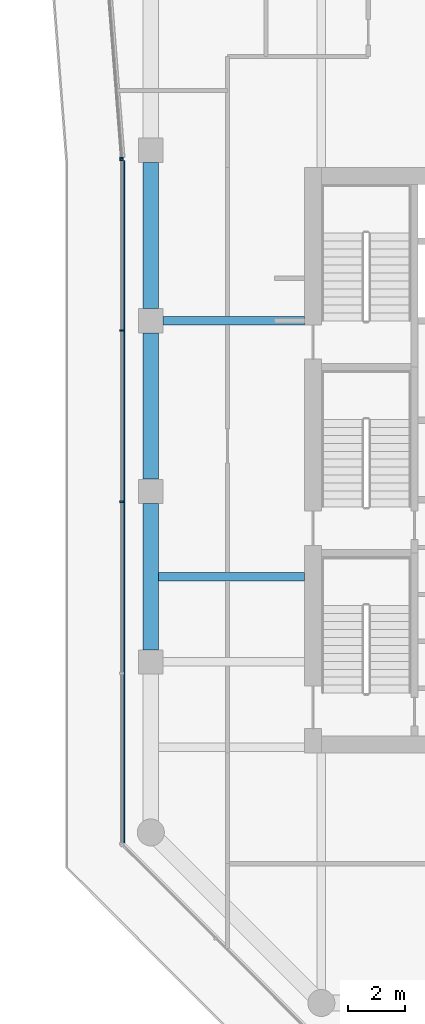
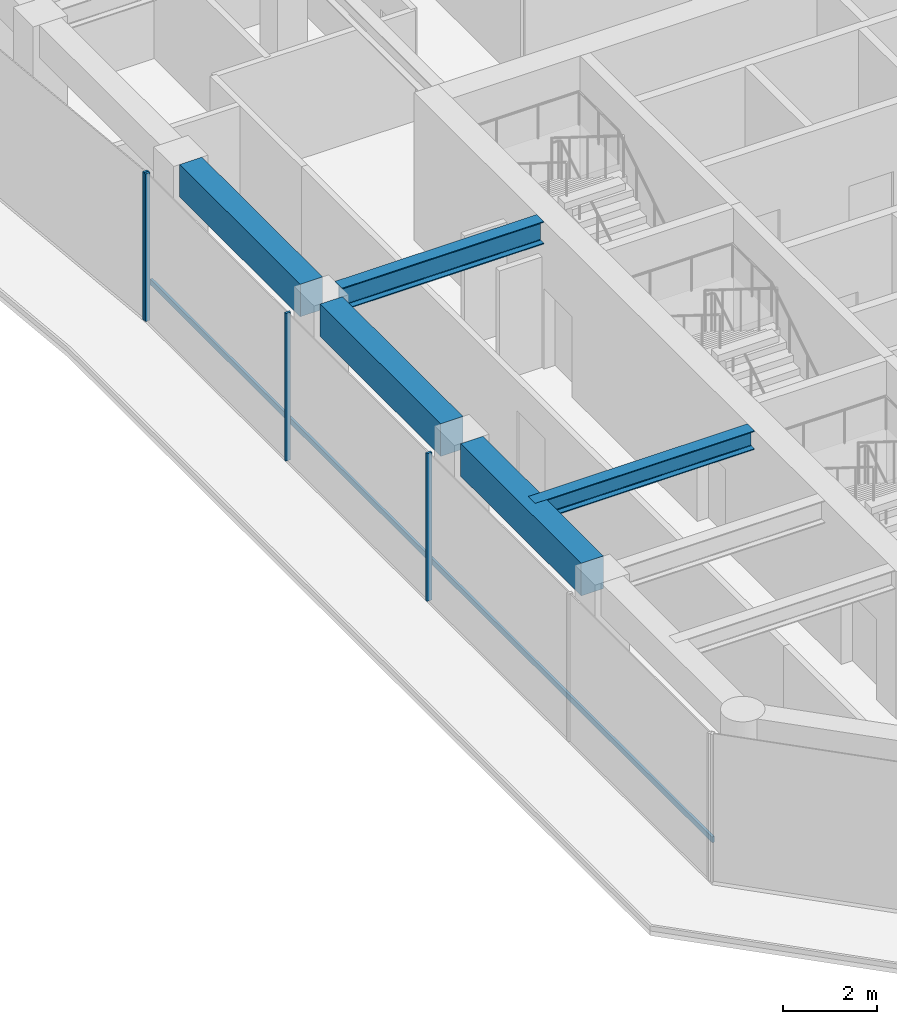
# One storey, part 5 of 23: 5 beams, 5 members, 2 elements without a shape of their own.
"""IFC4 building model written with IfcOpenShell, lengths in metres."""

from ifc_helpers import new_model, si_unit, direction, frame, origin, origin_2d, place, context, subcontext, project, spatial, rectangle, i_section, extrude, material, layer, layer_set, material_profile, profile_set, type_object, element, aggregate, save


model = new_model("IFC4")

# Units and contexts
model_context = context("Model", 3, precision=1e-05, world=origin(), true_north=direction((0.0, 1.0)))
body_context = subcontext(model_context, "Body", "Model", "MODEL_VIEW")
ifc_project = project(units=[si_unit("LENGTHUNIT", "METRE"), si_unit("AREAUNIT", "SQUARE_METRE"), si_unit("VOLUMEUNIT", "CUBIC_METRE"), si_unit("PLANEANGLEUNIT", "RADIAN"), si_unit("MASSUNIT", "GRAM", prefix="KILO")], contexts=[model_context])

# Site, building, storey
site_placement = place(None, origin())
site = spatial("IfcSite", under=ifc_project, at=site_placement, CompositionType="ELEMENT")
building_placement = place(site_placement, origin())
building = spatial("IfcBuilding", under=site, at=building_placement, Name="Welwitschia Terrace Campus", CompositionType="ELEMENT")
storey_placement = place(building_placement, frame((0.0, 0.0, 188.60009765625)))
storey = spatial("IfcBuildingStorey", under=building, at=storey_placement, Name="L42", CompositionType="ELEMENT", Elevation=188.60009765625)

# Beam
ifc_material_1 = material(Name="Steel S355", Category="steel")
ifc_material_profile_1 = material_profile(ifc_material_1, i_section(OverallWidth=0.300048828125, OverallDepth=0.489990234375, WebThickness=0.011962890625, FlangeThickness=0.02294921875, FilletRadius=0.027099609375, at=origin_2d()))
ifc_profile_set_1 = profile_set([ifc_material_profile_1], Name="Steel S355")
beam_type_1 = type_object("IfcBeamType", Name="Interior girder HE 500 A", PredefinedType="BEAM", material=ifc_profile_set_1)
beam_1_placement = place(storey_placement, frame((-0.010009765625, 11.0, 3.60498046875), z_axis=(1.0, 0.0, 0.0), x_axis=(0.0, 1.0, 0.0)))
element("IfcBeam", 1, at=beam_1_placement, inside=storey, type_object=beam_type_1, Name="Girder GB4", PredefinedType="BEAM", context=body_context, shape_type="SweptSolid", body=[
    extrude(i_section(OverallWidth=0.300048828125, OverallDepth=0.489990234375, WebThickness=0.011962890625, FlangeThickness=0.02294921875, FilletRadius=0.027099609375, at=origin_2d()), origin(), (0.0, 0.0, 1.0), 5.408935546875),
])

# Curtain wall, member
ifc_material_2 = material(Name="Bronze anodised aluminium", Category="aluminium")
ifc_layer = layer(ifc_material_2, 0.1201171875)
ifc_layer_set = layer_set([ifc_layer], Name="Bronze anodised aluminium")
curtain_wall_type = type_object("IfcCurtainWallType", Name="Curtain wall CW2 tower 6000", PredefinedType="NOTDEFINED", material=ifc_layer_set)
curtain_wall_1_placement = place(storey_placement, origin())
curtain_wall_1 = element("IfcCurtainWall", 2, at=curtain_wall_1_placement, inside=storey, type_object=curtain_wall_type, Name="CW L42.0.0", PredefinedType="NOTDEFINED")
ifc_material_3 = material(Name="Bronze anodised aluminium", Category="aluminium")
ifc_material_profile_2 = material_profile(ifc_material_3, rectangle(XDim=0.1201171875, YDim=0.06005859375, at=origin_2d()))
ifc_profile_set_2 = profile_set([ifc_material_profile_2], Name="Bronze anodised aluminium")
member_type_1 = type_object("IfcMemberType", Name="Mullion 60x120", PredefinedType="MULLION", material=ifc_profile_set_2)
member_1_placement = place(storey_placement, frame((-1.032470703125, 25.722900390625, 0.0), z_axis=(0.0, 0.0, 1.0), x_axis=(0.996917333733, 0.078459095728, 0.0)))
member_1 = element("IfcMember", 3, at=member_1_placement, type_object=member_type_1, Name="Mullion L42.0.0.6", PredefinedType="MULLION", context=body_context, shape_type="SweptSolid", body=[
    extrude(rectangle(XDim=0.1201171875, YDim=0.06005859375, at=origin_2d()), origin(), (0.0, 0.0, 1.0), 3.849853515625),
])
aggregate(curtain_wall_1, [member_1])

# Curtain wall, members
curtain_wall_2_placement = place(storey_placement, origin())
curtain_wall_2 = element("IfcCurtainWall", 4, at=curtain_wall_2_placement, inside=storey, type_object=curtain_wall_type, Name="CW L42.1.0", PredefinedType="NOTDEFINED")
member_2_placement = place(storey_placement, frame((-1.030029296875, 25.6630859375, 0.0), z_axis=(0.0, 0.0, 1.0), x_axis=(1.0, 0.0, 0.0)))
member_2 = element("IfcMember", 5, at=member_2_placement, type_object=member_type_1, Name="Mullion L42.1.0.0", PredefinedType="MULLION", context=body_context, shape_type="SweptSolid", body=[
    extrude(rectangle(XDim=0.1201171875, YDim=0.06005859375, at=origin_2d()), origin(), (0.0, 0.0, 1.0), 3.849853515625),
])
member_3_placement = place(storey_placement, frame((-1.030029296875, 19.6630859375, 0.0), z_axis=(0.0, 0.0, 1.0), x_axis=(1.0, 0.0, 0.0)))
member_3 = element("IfcMember", 6, at=member_3_placement, type_object=member_type_1, Name="Mullion L42.1.0.1", PredefinedType="MULLION", context=body_context, shape_type="SweptSolid", body=[
    extrude(rectangle(XDim=0.1201171875, YDim=0.06005859375, at=origin_2d()), origin(), (0.0, 0.0, 1.0), 3.849853515625),
])
member_4_placement = place(storey_placement, frame((-1.030029296875, 13.63330078125, 0.0), z_axis=(0.0, 0.0, 1.0), x_axis=(1.0, 0.0, 0.0)))
member_4 = element("IfcMember", 7, at=member_4_placement, type_object=member_type_1, Name="Mullion L42.1.0.2", PredefinedType="MULLION", context=body_context, shape_type="SweptSolid", body=[
    extrude(rectangle(XDim=0.1201171875, YDim=0.06005859375, at=origin_2d()), origin(), (0.0, 0.0, 1.0), 3.849853515625),
])

# Beams
ifc_material_4 = material(Name="Steel S355", Category="steel")
ifc_material_profile_3 = material_profile(ifc_material_4, i_section(OverallWidth=0.300048828125, OverallDepth=0.590087890625, WebThickness=0.012939453125, FlangeThickness=0.02490234375, FilletRadius=0.027099609375, at=origin_2d()))
ifc_profile_set_3 = profile_set([ifc_material_profile_3], Name="Steel S355")
beam_type_2 = type_object("IfcBeamType", Name="Primary beam HE 600 A", PredefinedType="BEAM", material=ifc_profile_set_3)
beam_2_placement = place(storey_placement, frame((0.425537109375, 20.0, 3.554931640625), z_axis=(1.0, 0.0, 0.0), x_axis=(0.0, 1.0, 0.0)))
element("IfcBeam", 8, at=beam_2_placement, inside=storey, type_object=beam_type_2, Name="Primary beam PB4", PredefinedType="BEAM", context=body_context, shape_type="SweptSolid", body=[
    extrude(i_section(OverallWidth=0.300048828125, OverallDepth=0.590087890625, WebThickness=0.012939453125, FlangeThickness=0.02490234375, FilletRadius=0.027099609375, at=origin_2d()), origin(), (0.0, 0.0, 1.0), 4.974365234375),
])
ifc_material_5 = material(Name="Concrete C50/60", Category="concrete")
ifc_material_profile_4 = material_profile(ifc_material_5, rectangle(XDim=0.550048828125, YDim=0.85009765625, at=origin_2d()))
ifc_profile_set_4 = profile_set([ifc_material_profile_4], Name="Concrete C50/60")
beam_type_3 = type_object("IfcBeamType", Name="Ring spandrel 550x850", PredefinedType="SPANDREL", material=ifc_profile_set_4)
for number, where, z_axis, x_axis, name in (
    (9, (0.0, 25.574462890625, 3.4248046875), (0.0, -1.0, 0.0), (1.0, 0.0, 0.0), "Spandrel SP3"),
    (10, (0.0, 19.574462890625, 3.4248046875), (0.0, -1.0, 0.0), (1.0, 0.0, 0.0), "Spandrel SP3"),
    (11, (0.0, 13.574462890625, 3.4248046875), (0.0, -1.0, 0.0), (1.0, 0.0, 0.0), "Spandrel SP3"),
):
    element("IfcBeam", number, at=place(storey_placement, frame(where, z_axis=z_axis, x_axis=x_axis)), inside=storey, type_object=beam_type_3, Name=name, PredefinedType="SPANDREL", context=body_context, shape_type="SweptSolid", body=[
        extrude(rectangle(XDim=0.550048828125, YDim=0.85009765625, at=origin_2d()), origin(), (0.0, 0.0, 1.0), 5.14892578125),
    ])

# Member
ifc_material_6 = material(Name="Bronze anodised aluminium", Category="aluminium")
ifc_material_profile_5 = material_profile(ifc_material_6, rectangle(XDim=0.06005859375, YDim=0.14990234375, at=origin_2d()))
ifc_profile_set_5 = profile_set([ifc_material_profile_5], Name="Bronze anodised aluminium")
member_type_2 = type_object("IfcMemberType", Name="Transom 60x150", PredefinedType="USERDEFINED", material=ifc_profile_set_5)
member_5_placement = place(storey_placement, frame((-0.93994140625, 25.633056640625, 1.0), z_axis=(0.0, -1.0, 0.0), x_axis=(1.0, 0.0, 0.0)))
member_5 = element("IfcMember", 12, at=member_5_placement, type_object=member_type_2, Name="Transom L42.1.0", ObjectType="TRANSOM", PredefinedType="USERDEFINED", context=body_context, shape_type="SweptSolid", body=[
    extrude(rectangle(XDim=0.06005859375, YDim=0.14990234375, at=origin_2d()), origin(), (0.0, 0.0, 1.0), 23.999755859375),
])

aggregate(curtain_wall_2, [member_2, member_3, member_4, member_5])

save(model, "model.ifc")
